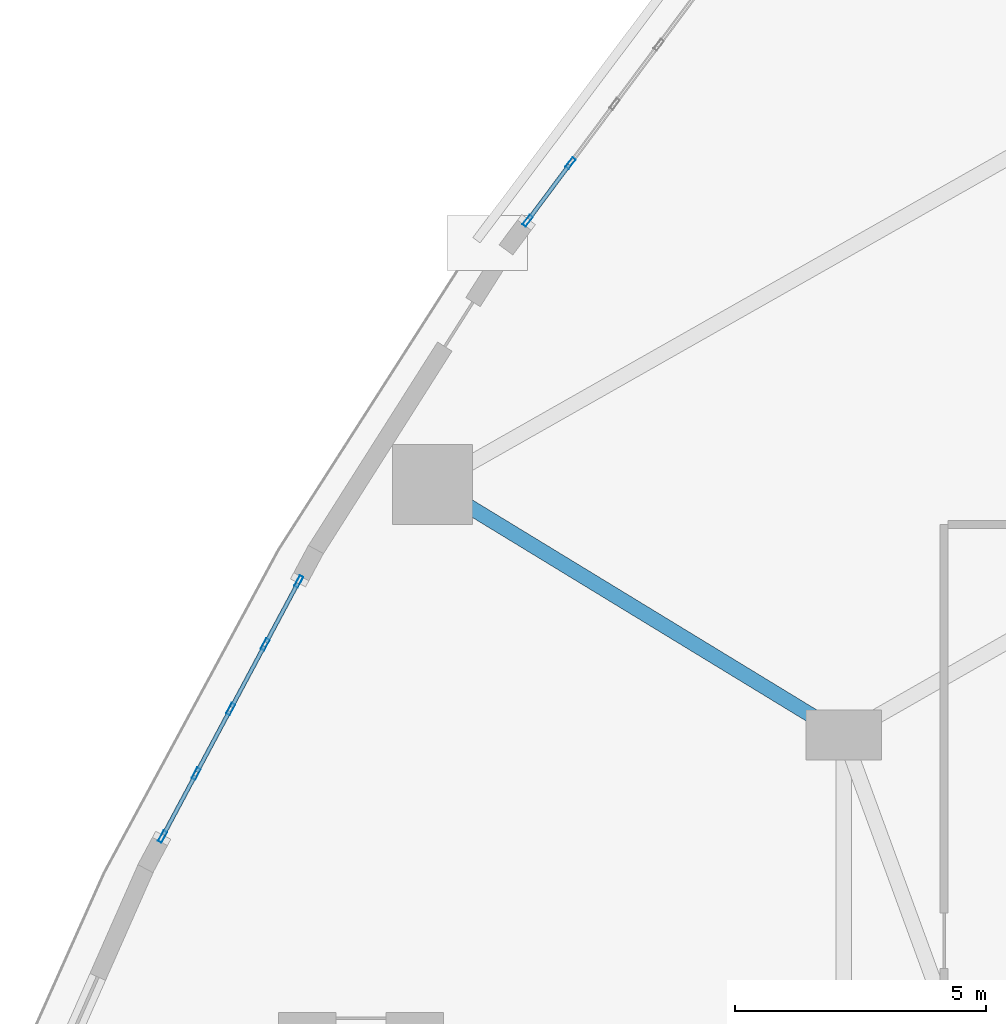
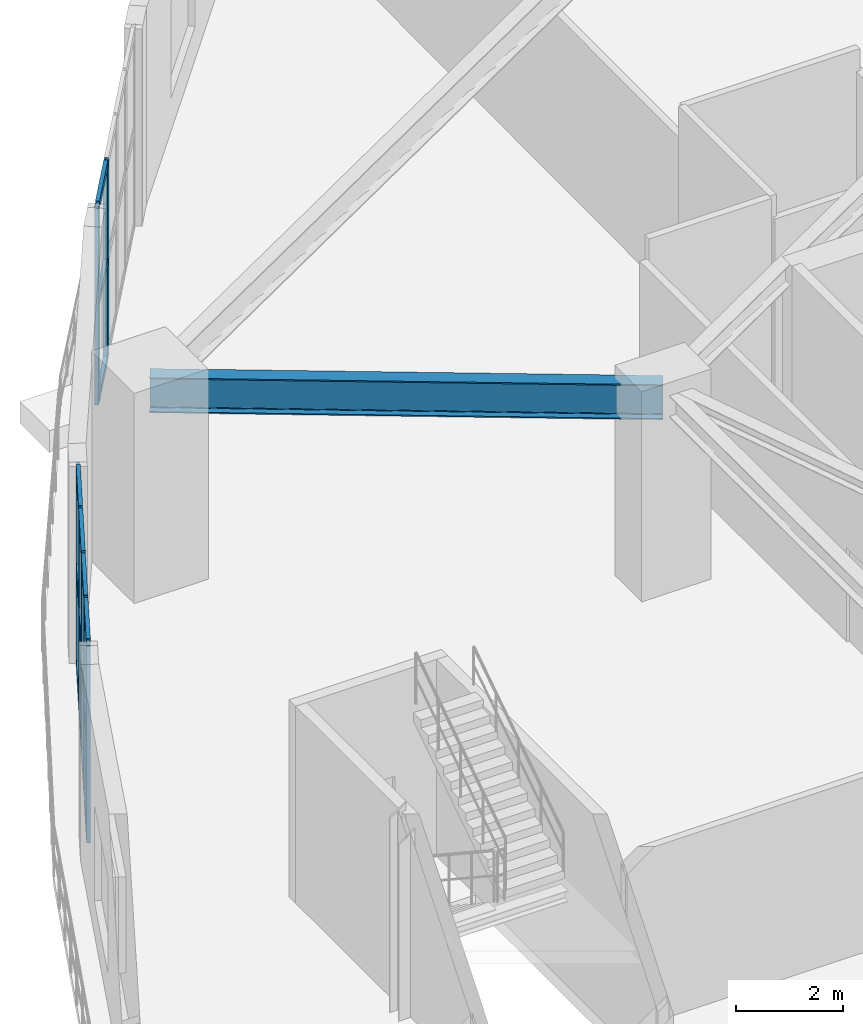
# One storey, part 10 of 25: 22 members, 1 beam, 2 elements without a shape of their own.
"""IFC4 building model written with IfcOpenShell, lengths in metres."""

from ifc_helpers import new_model, si_unit, direction, frame, origin, origin_2d, place, context, subcontext, project, spatial, hollow_rectangle, i_section, extrude, material, layer, layer_set, material_profile, profile_set, type_object, element, aggregate, save


model = new_model("IFC4")

# Units and contexts
model_context = context("Model", 3, precision=1e-05, world=origin(), true_north=direction((0.0, 1.0)))
body_context = subcontext(model_context, "Body", "Model", "MODEL_VIEW")
ifc_project = project(units=[si_unit("LENGTHUNIT", "METRE"), si_unit("AREAUNIT", "SQUARE_METRE"), si_unit("VOLUMEUNIT", "CUBIC_METRE"), si_unit("PLANEANGLEUNIT", "RADIAN"), si_unit("MASSUNIT", "GRAM", prefix="KILO")], contexts=[model_context])

# Site, building, storey
site_placement = place(None, origin())
site = spatial("IfcSite", under=ifc_project, at=site_placement, CompositionType="ELEMENT")
building_placement = place(site_placement, origin())
building = spatial("IfcBuilding", under=site, at=building_placement, Name="Miruveldt Soraemaru", CompositionType="ELEMENT")
storey_placement = place(building_placement, frame((0.0, 0.0, 4.800048828125)))
storey = spatial("IfcBuildingStorey", under=building, at=storey_placement, Name="L02", CompositionType="ELEMENT", Elevation=4.800048828125)

# Beam
ifc_material_1 = material(Name="Steel S460 (460 MPa)", Category="steel")
ifc_material_profile_1 = material_profile(ifc_material_1, i_section(OverallWidth=0.300048828125, OverallDepth=0.800048828125, WebThickness=0.013916015625, FlangeThickness=0.02587890625, FilletRadius=0.028076171875, at=origin_2d()), Name="Steel S460 (460 MPa)", Category="steel")
ifc_profile_set_1 = profile_set([ifc_material_profile_1], Name="Steel S460 (460 MPa)")
beam_type = type_object("IfcBeamType", Name="BM-ST-H800", PredefinedType="BEAM", material=ifc_profile_set_1)
beam_placement = place(storey_placement, frame((31.39990234375, 50.39990234375, 4.099853515625), z_axis=(-0.853794797843, 0.520609684098, 0.0), x_axis=(-0.520609684098, -0.853794797843, 0.0)))
element("IfcBeam", 1, at=beam_placement, inside=storey, type_object=beam_type, Name="L02 Podium Radial Girder 6", PredefinedType="BEAM", context=body_context, shape_type="SweptSolid", body=[
    extrude(i_section(OverallWidth=0.300048828125, OverallDepth=0.800048828125, WebThickness=0.013916015625, FlangeThickness=0.02587890625, FilletRadius=0.028076171875, at=origin_2d()), origin(), (0.0, 0.0, 1.0), 9.60400390625),
])

# Curtain wall, members
ifc_material_2 = material(Name="Anodised aluminium EN AW-6063 T6", Category="aluminium")
ifc_layer = layer(ifc_material_2, 0.239990234375, Name="Anodised aluminium EN AW-6063 T6", Category="aluminium")
ifc_layer_set = layer_set([ifc_layer], Name="Anodised aluminium EN AW-6063 T6")
curtain_wall_type = type_object("IfcCurtainWallType", Name="CW-SYS-1", PredefinedType="USERDEFINED", material=ifc_layer_set)
curtain_wall_1_placement = place(storey_placement, origin())
curtain_wall_1 = element("IfcCurtainWall", 2, at=curtain_wall_1_placement, inside=storey, type_object=curtain_wall_type, Name="L02 Curtain Wall Bay 9", ObjectType="STOREFRONT", PredefinedType="USERDEFINED")
ifc_material_profile_2 = material_profile(ifc_material_2, hollow_rectangle(XDim=0.080078125, YDim=0.239990234375, WallThickness=0.0048828125, at=origin_2d()), Name="Anodised aluminium EN AW-6063 T6", Category="aluminium")
ifc_profile_set_2 = profile_set([ifc_material_profile_2], Name="Anodised aluminium EN AW-6063 T6")
member_type_1 = type_object("IfcMemberType", Name="CWM-1", PredefinedType="MULLION", material=ifc_profile_set_2)
member_1_placement = place(storey_placement, frame((25.951904296875, 61.804931640625, 0.0), z_axis=(0.0, 0.0, 1.0), x_axis=(0.802101472161, -0.597187766416, 0.0)))
member_1 = element("IfcMember", 3, at=member_1_placement, type_object=member_type_1, Name="CW-1 mullion 4", PredefinedType="MULLION", context=body_context, shape_type="SweptSolid", body=[
    extrude(hollow_rectangle(XDim=0.080078125, YDim=0.239990234375, WallThickness=0.0048828125, at=origin_2d()), origin(), (0.0, 0.0, 1.0), 4.5),
])
member_2_placement = place(storey_placement, frame((25.09716796875, 60.656982421875, 0.0), z_axis=(0.0, 0.0, 1.0), x_axis=(0.802101472161, -0.597187766416, 0.0)))
member_2 = element("IfcMember", 4, at=member_2_placement, type_object=member_type_1, Name="CW-1 mullion 5", PredefinedType="MULLION", context=body_context, shape_type="SweptSolid", body=[
    extrude(hollow_rectangle(XDim=0.080078125, YDim=0.239990234375, WallThickness=0.0048828125, at=origin_2d()), origin(), (0.0, 0.0, 1.0), 4.5),
])

curtain_wall_2_placement = place(storey_placement, origin())
curtain_wall_2 = element("IfcCurtainWall", 5, at=curtain_wall_2_placement, inside=storey, type_object=curtain_wall_type, Name="L02 Curtain Wall Bay 11", ObjectType="STOREFRONT", PredefinedType="USERDEFINED")
member_3_placement = place(storey_placement, frame((20.5322265625, 53.462158203125, 0.0), z_axis=(0.0, 0.0, 1.0), x_axis=(0.88210512826, -0.471052590161, 0.0)))
member_3 = element("IfcMember", 6, at=member_3_placement, type_object=member_type_1, Name="CW-1 mullion 1", PredefinedType="MULLION", context=body_context, shape_type="SweptSolid", body=[
    extrude(hollow_rectangle(XDim=0.080078125, YDim=0.239990234375, WallThickness=0.0048828125, at=origin_2d()), origin(), (0.0, 0.0, 1.0), 4.5),
])
member_4_placement = place(storey_placement, frame((19.86279296875, 52.20849609375, 0.0), z_axis=(0.0, 0.0, 1.0), x_axis=(0.88210512826, -0.471052590161, 0.0)))
member_4 = element("IfcMember", 7, at=member_4_placement, type_object=member_type_1, Name="CW-1 mullion 2", PredefinedType="MULLION", context=body_context, shape_type="SweptSolid", body=[
    extrude(hollow_rectangle(XDim=0.080078125, YDim=0.239990234375, WallThickness=0.0048828125, at=origin_2d()), origin(), (0.0, 0.0, 1.0), 4.5),
])
member_5_placement = place(storey_placement, frame((19.17431640625, 50.91943359375, 0.0), z_axis=(0.0, 0.0, 1.0), x_axis=(0.88210512826, -0.471052590161, 0.0)))
member_5 = element("IfcMember", 8, at=member_5_placement, type_object=member_type_1, Name="CW-1 mullion 3", PredefinedType="MULLION", context=body_context, shape_type="SweptSolid", body=[
    extrude(hollow_rectangle(XDim=0.080078125, YDim=0.239990234375, WallThickness=0.0048828125, at=origin_2d()), origin(), (0.0, 0.0, 1.0), 4.5),
])
member_6_placement = place(storey_placement, frame((18.486083984375, 49.63037109375, 0.0), z_axis=(0.0, 0.0, 1.0), x_axis=(0.88210512826, -0.471052590161, 0.0)))
member_6 = element("IfcMember", 9, at=member_6_placement, type_object=member_type_1, Name="CW-1 mullion 4", PredefinedType="MULLION", context=body_context, shape_type="SweptSolid", body=[
    extrude(hollow_rectangle(XDim=0.080078125, YDim=0.239990234375, WallThickness=0.0048828125, at=origin_2d()), origin(), (0.0, 0.0, 1.0), 4.5),
])
member_7_placement = place(storey_placement, frame((17.816650390625, 48.376708984375, 0.0), z_axis=(0.0, 0.0, 1.0), x_axis=(0.88210512826, -0.471052590161, 0.0)))
member_7 = element("IfcMember", 10, at=member_7_placement, type_object=member_type_1, Name="CW-1 mullion 5", PredefinedType="MULLION", context=body_context, shape_type="SweptSolid", body=[
    extrude(hollow_rectangle(XDim=0.080078125, YDim=0.239990234375, WallThickness=0.0048828125, at=origin_2d()), origin(), (0.0, 0.0, 1.0), 4.5),
])

# Member
ifc_material_profile_3 = material_profile(ifc_material_2, hollow_rectangle(XDim=0.080078125, YDim=0.179931640625, WallThickness=0.00390625, at=origin_2d()), Name="Anodised aluminium EN AW-6063 T6", Category="aluminium")
ifc_profile_set_3 = profile_set([ifc_material_profile_3], Name="Anodised aluminium EN AW-6063 T6")
member_type_2 = type_object("IfcMemberType", Name="CWT-1", PredefinedType="USERDEFINED", material=ifc_profile_set_3)
member_8_placement = place(storey_placement, frame((25.92822265625, 61.772705078125, 0.0400390625), z_axis=(-0.597308183183, -0.802011804341, 0.0), x_axis=(0.802011804341, -0.597308183183, 0.0)))
member_8 = element("IfcMember", 11, at=member_8_placement, type_object=member_type_2, Name="CW-1 transom 4.1", ObjectType="TRANSOM", PredefinedType="USERDEFINED", context=body_context, shape_type="SweptSolid", body=[
    extrude(hollow_rectangle(XDim=0.080078125, YDim=0.179931640625, WallThickness=0.00390625, at=origin_2d()), origin(), (0.0, 0.0, 1.0), 1.351318359375),
])

member_9_placement = place(storey_placement, frame((25.92822265625, 61.772705078125, 2.25), z_axis=(-0.597308183183, -0.802011804341, 0.0), x_axis=(0.802011804341, -0.597308183183, 0.0)))
member_9 = element("IfcMember", 12, at=member_9_placement, type_object=member_type_2, Name="CW-1 transom 4.2", ObjectType="TRANSOM", PredefinedType="USERDEFINED", context=body_context, shape_type="SweptSolid", body=[
    extrude(hollow_rectangle(XDim=0.080078125, YDim=0.179931640625, WallThickness=0.00390625, at=origin_2d()), origin(), (0.0, 0.0, 1.0), 1.351318359375),
])

member_10_placement = place(storey_placement, frame((25.92822265625, 61.772705078125, 4.4599609375), z_axis=(-0.597308183183, -0.802011804341, 0.0), x_axis=(0.802011804341, -0.597308183183, 0.0)))
member_10 = element("IfcMember", 13, at=member_10_placement, type_object=member_type_2, Name="CW-1 transom 4.3", ObjectType="TRANSOM", PredefinedType="USERDEFINED", context=body_context, shape_type="SweptSolid", body=[
    extrude(hollow_rectangle(XDim=0.080078125, YDim=0.179931640625, WallThickness=0.00390625, at=origin_2d()), origin(), (0.0, 0.0, 1.0), 1.351318359375),
])

aggregate(curtain_wall_1, [member_1, member_2, member_8, member_9, member_10])

member_11_placement = place(storey_placement, frame((20.513427734375, 53.4267578125, 0.0400390625), z_axis=(-0.471079439584, -0.882090789886, 0.0), x_axis=(0.882090789886, -0.471079439584, 0.0)))
member_11 = element("IfcMember", 14, at=member_11_placement, type_object=member_type_2, Name="CW-1 transom 1.1", ObjectType="TRANSOM", PredefinedType="USERDEFINED", context=body_context, shape_type="SweptSolid", body=[
    extrude(hollow_rectangle(XDim=0.080078125, YDim=0.179931640625, WallThickness=0.00390625, at=origin_2d()), origin(), (0.0, 0.0, 1.0), 1.34130859375),
])

member_12_placement = place(storey_placement, frame((20.513427734375, 53.4267578125, 2.25), z_axis=(-0.471079439584, -0.882090789886, 0.0), x_axis=(0.882090789886, -0.471079439584, 0.0)))
member_12 = element("IfcMember", 15, at=member_12_placement, type_object=member_type_2, Name="CW-1 transom 1.2", ObjectType="TRANSOM", PredefinedType="USERDEFINED", context=body_context, shape_type="SweptSolid", body=[
    extrude(hollow_rectangle(XDim=0.080078125, YDim=0.179931640625, WallThickness=0.00390625, at=origin_2d()), origin(), (0.0, 0.0, 1.0), 1.34130859375),
])

member_13_placement = place(storey_placement, frame((20.513427734375, 53.4267578125, 4.4599609375), z_axis=(-0.471079439584, -0.882090789886, 0.0), x_axis=(0.882090789886, -0.471079439584, 0.0)))
member_13 = element("IfcMember", 16, at=member_13_placement, type_object=member_type_2, Name="CW-1 transom 1.3", ObjectType="TRANSOM", PredefinedType="USERDEFINED", context=body_context, shape_type="SweptSolid", body=[
    extrude(hollow_rectangle(XDim=0.080078125, YDim=0.179931640625, WallThickness=0.00390625, at=origin_2d()), origin(), (0.0, 0.0, 1.0), 1.34130859375),
])

member_14_placement = place(storey_placement, frame((19.84375, 52.173095703125, 0.0400390625), z_axis=(-0.471092779359, -0.882083665667, 0.0), x_axis=(0.882083665667, -0.471092779359, 0.0)))
member_14 = element("IfcMember", 17, at=member_14_placement, type_object=member_type_2, Name="CW-1 transom 2.1", ObjectType="TRANSOM", PredefinedType="USERDEFINED", context=body_context, shape_type="SweptSolid", body=[
    extrude(hollow_rectangle(XDim=0.080078125, YDim=0.179931640625, WallThickness=0.00390625, at=origin_2d()), origin(), (0.0, 0.0, 1.0), 1.381103515625),
])

member_15_placement = place(storey_placement, frame((19.84375, 52.173095703125, 2.25), z_axis=(-0.471092779359, -0.882083665667, 0.0), x_axis=(0.882083665667, -0.471092779359, 0.0)))
member_15 = element("IfcMember", 18, at=member_15_placement, type_object=member_type_2, Name="CW-1 transom 2.2", ObjectType="TRANSOM", PredefinedType="USERDEFINED", context=body_context, shape_type="SweptSolid", body=[
    extrude(hollow_rectangle(XDim=0.080078125, YDim=0.179931640625, WallThickness=0.00390625, at=origin_2d()), origin(), (0.0, 0.0, 1.0), 1.381103515625),
])

member_16_placement = place(storey_placement, frame((19.84375, 52.173095703125, 4.4599609375), z_axis=(-0.471092779359, -0.882083665667, 0.0), x_axis=(0.882083665667, -0.471092779359, 0.0)))
member_16 = element("IfcMember", 19, at=member_16_placement, type_object=member_type_2, Name="CW-1 transom 2.3", ObjectType="TRANSOM", PredefinedType="USERDEFINED", context=body_context, shape_type="SweptSolid", body=[
    extrude(hollow_rectangle(XDim=0.080078125, YDim=0.179931640625, WallThickness=0.00390625, at=origin_2d()), origin(), (0.0, 0.0, 1.0), 1.381103515625),
])

member_17_placement = place(storey_placement, frame((19.155517578125, 50.88427734375, 0.0400390625), z_axis=(-0.471019333485, -0.882122886838, 0.0), x_axis=(0.882122886838, -0.471019333485, 0.0)))
member_17 = element("IfcMember", 20, at=member_17_placement, type_object=member_type_2, Name="CW-1 transom 3.1", ObjectType="TRANSOM", PredefinedType="USERDEFINED", context=body_context, shape_type="SweptSolid", body=[
    extrude(hollow_rectangle(XDim=0.080078125, YDim=0.179931640625, WallThickness=0.00390625, at=origin_2d()), origin(), (0.0, 0.0, 1.0), 1.38134765625),
])

member_18_placement = place(storey_placement, frame((19.155517578125, 50.88427734375, 2.25), z_axis=(-0.471019333485, -0.882122886838, 0.0), x_axis=(0.882122886838, -0.471019333485, 0.0)))
member_18 = element("IfcMember", 21, at=member_18_placement, type_object=member_type_2, Name="CW-1 transom 3.2", ObjectType="TRANSOM", PredefinedType="USERDEFINED", context=body_context, shape_type="SweptSolid", body=[
    extrude(hollow_rectangle(XDim=0.080078125, YDim=0.179931640625, WallThickness=0.00390625, at=origin_2d()), origin(), (0.0, 0.0, 1.0), 1.38134765625),
])

member_19_placement = place(storey_placement, frame((19.155517578125, 50.88427734375, 4.4599609375), z_axis=(-0.471019333485, -0.882122886838, 0.0), x_axis=(0.882122886838, -0.471019333485, 0.0)))
member_19 = element("IfcMember", 22, at=member_19_placement, type_object=member_type_2, Name="CW-1 transom 3.3", ObjectType="TRANSOM", PredefinedType="USERDEFINED", context=body_context, shape_type="SweptSolid", body=[
    extrude(hollow_rectangle(XDim=0.080078125, YDim=0.179931640625, WallThickness=0.00390625, at=origin_2d()), origin(), (0.0, 0.0, 1.0), 1.38134765625),
])

member_20_placement = place(storey_placement, frame((18.46728515625, 49.59521484375, 0.0400390625), z_axis=(-0.471079439584, -0.882090789886, 0.0), x_axis=(0.882090789886, -0.471079439584, 0.0)))
member_20 = element("IfcMember", 23, at=member_20_placement, type_object=member_type_2, Name="CW-1 transom 4.1", ObjectType="TRANSOM", PredefinedType="USERDEFINED", context=body_context, shape_type="SweptSolid", body=[
    extrude(hollow_rectangle(XDim=0.080078125, YDim=0.179931640625, WallThickness=0.00390625, at=origin_2d()), origin(), (0.0, 0.0, 1.0), 1.34130859375),
])

member_21_placement = place(storey_placement, frame((18.46728515625, 49.59521484375, 2.25), z_axis=(-0.471079439584, -0.882090789886, 0.0), x_axis=(0.882090789886, -0.471079439584, 0.0)))
member_21 = element("IfcMember", 24, at=member_21_placement, type_object=member_type_2, Name="CW-1 transom 4.2", ObjectType="TRANSOM", PredefinedType="USERDEFINED", context=body_context, shape_type="SweptSolid", body=[
    extrude(hollow_rectangle(XDim=0.080078125, YDim=0.179931640625, WallThickness=0.00390625, at=origin_2d()), origin(), (0.0, 0.0, 1.0), 1.34130859375),
])

member_22_placement = place(storey_placement, frame((18.46728515625, 49.59521484375, 4.4599609375), z_axis=(-0.471079439584, -0.882090789886, 0.0), x_axis=(0.882090789886, -0.471079439584, 0.0)))
member_22 = element("IfcMember", 25, at=member_22_placement, type_object=member_type_2, Name="CW-1 transom 4.3", ObjectType="TRANSOM", PredefinedType="USERDEFINED", context=body_context, shape_type="SweptSolid", body=[
    extrude(hollow_rectangle(XDim=0.080078125, YDim=0.179931640625, WallThickness=0.00390625, at=origin_2d()), origin(), (0.0, 0.0, 1.0), 1.34130859375),
])

aggregate(curtain_wall_2, [member_3, member_4, member_5, member_6, member_7, member_11, member_12, member_13, member_14, member_15, member_16, member_17, member_18, member_19, member_20, member_21, member_22])

save(model, "model.ifc")
